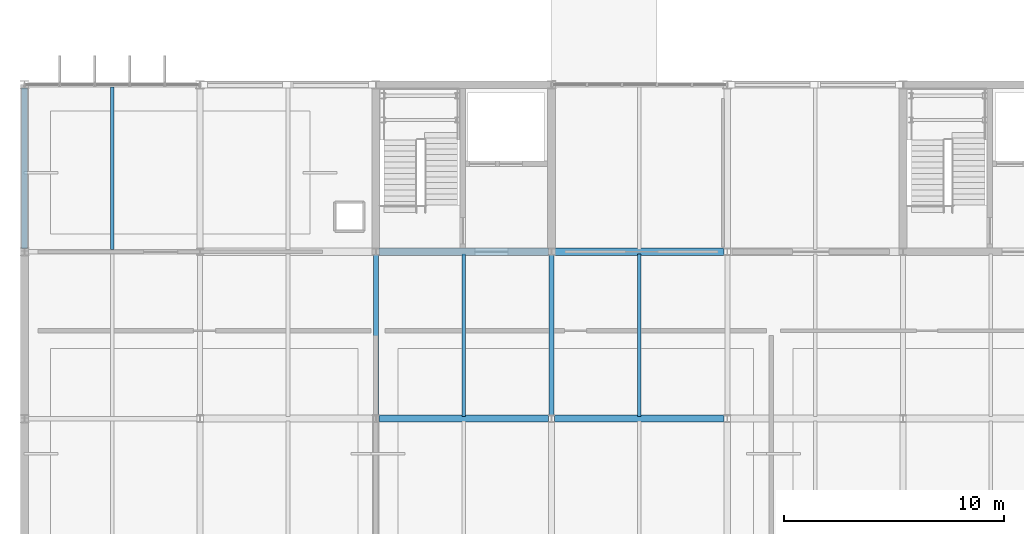
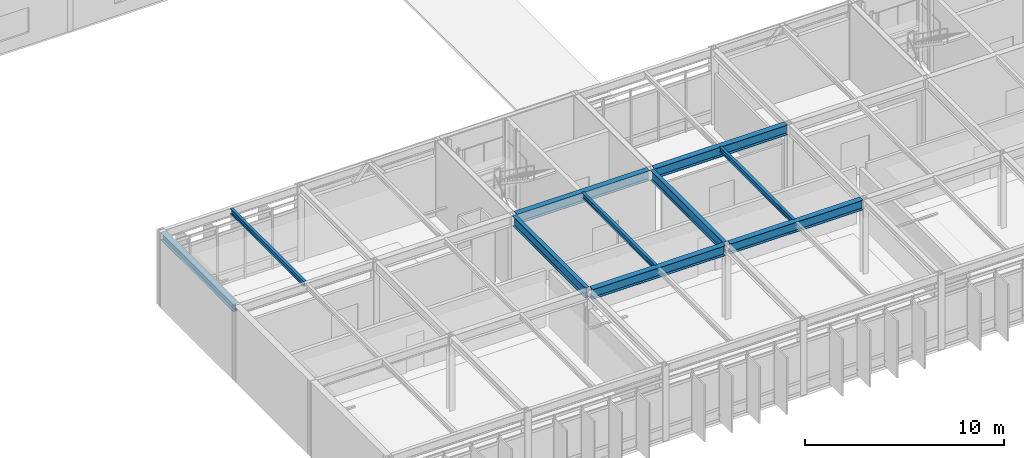
# One storey, part 24 of 100: 10 beams.
"""IFC4 building model written with IfcOpenShell, lengths in metres."""

from ifc_helpers import new_model, si_unit, direction, frame, origin, origin_2d, place, context, subcontext, project, spatial, i_section, extrude, material, material_profile, profile_set, type_object, element, save


model = new_model("IFC4")

# Units and contexts
model_context = context("Model", 3, precision=1e-05, world=origin(), true_north=direction((0.0, 1.0)))
body_context = subcontext(model_context, "Body", "Model", "MODEL_VIEW")
ifc_project = project(units=[si_unit("LENGTHUNIT", "METRE"), si_unit("AREAUNIT", "SQUARE_METRE"), si_unit("VOLUMEUNIT", "CUBIC_METRE"), si_unit("PLANEANGLEUNIT", "RADIAN"), si_unit("MASSUNIT", "GRAM", prefix="KILO")], contexts=[model_context])

# Site, building, storey
site_placement = place(None, origin())
site = spatial("IfcSite", under=ifc_project, at=site_placement, CompositionType="ELEMENT")
building_placement = place(site_placement, origin())
building = spatial("IfcBuilding", under=site, at=building_placement, Name="Zulena Civic Courthouse", CompositionType="ELEMENT")
storey_placement = place(building_placement, frame((0.0, 0.0, 20.39990234375)))
storey = spatial("IfcBuildingStorey", under=building, at=storey_placement, Name="L04", CompositionType="ELEMENT", Elevation=20.39990234375)

# Beams
ifc_material = material(Name="Steel ASTM A992 Grade 50", Category="steel")
ifc_material_profile_1 = material_profile(ifc_material, i_section(OverallWidth=0.324951171875, OverallDepth=0.615966796875, WebThickness=0.013916015625, FlangeThickness=0.021484375, FilletRadius=0.0126953125, at=origin_2d()), Name="W24X117")
ifc_profile_set_1 = profile_set([ifc_material_profile_1], Name="Steel ASTM A992 Grade 50")
beam_type_1 = type_object("IfcBeamType", Name="Girder_W24X117", PredefinedType="BEAM", material=ifc_profile_set_1)
for number, where, z_axis, x_axis, name in (
    (1, (20.14501953125, 7.60009765625, 4.287109375), (1.0, 0.0, 0.0), (0.0, 1.0, 0.0), "beam:X:V2:L04:7.6:20.0_28.0"),
    (2, (28.14501953125, 7.60009765625, 4.287109375), (1.0, 0.0, 0.0), (0.0, 1.0, 0.0), "beam:X:V2:L04:7.6:28.0_36.0"),
    (3, (20.14501953125, 15.199951171875, 4.287109375), (1.0, 0.0, 0.0), (0.0, 1.0, 0.0), "beam:X:V2:L04:15.2:20.0_28.0"),
    (4, (28.14501953125, 15.199951171875, 4.287109375), (1.0, 0.0, 0.0), (0.0, 1.0, 0.0), "beam:X:V2:L04:15.2:28.0_36.0"),
):
    element("IfcBeam", number, at=place(storey_placement, frame(where, z_axis=z_axis, x_axis=x_axis)), inside=storey, type_object=beam_type_1, Name=name, PredefinedType="BEAM", context=body_context, shape_type="SweptSolid", body=[
        extrude(i_section(OverallWidth=0.324951171875, OverallDepth=0.615966796875, WebThickness=0.013916015625, FlangeThickness=0.021484375, FilletRadius=0.0126953125, at=origin_2d()), origin(), (0.0, 0.0, 1.0), 7.7099609375),
    ])
ifc_material_profile_2 = material_profile(ifc_material, i_section(OverallWidth=0.22998046875, OverallDepth=0.616943359375, WebThickness=0.01318359375, FlangeThickness=0.022216796875, FilletRadius=0.0126953125, at=origin_2d()), Name="W24X94")
ifc_profile_set_2 = profile_set([ifc_material_profile_2], Name="Steel ASTM A992 Grade 50")
beam_type_2 = type_object("IfcBeamType", Name="Girder_W24X94", PredefinedType="BEAM", material=ifc_profile_set_2)
for number, where, z_axis, x_axis, name in (
    (5, (20.0, 7.7451171875, 4.28662109375), (0.0, 1.0, 0.0), (-1.0, 0.0, 0.0), "beam:Y:V2:L04:20.0:7.6_15.2"),
    (6, (28.0, 7.7451171875, 4.28662109375), (0.0, 1.0, 0.0), (-1.0, 0.0, 0.0), "beam:Y:V2:L04:28.0:7.6_15.2"),
):
    element("IfcBeam", number, at=place(storey_placement, frame(where, z_axis=z_axis, x_axis=x_axis)), inside=storey, type_object=beam_type_2, Name=name, PredefinedType="BEAM", context=body_context, shape_type="SweptSolid", body=[
        extrude(i_section(OverallWidth=0.22998046875, OverallDepth=0.616943359375, WebThickness=0.01318359375, FlangeThickness=0.022216796875, FilletRadius=0.0126953125, at=origin_2d()), origin(), (0.0, 0.0, 1.0), 7.309814453125),
    ])
ifc_material_profile_3 = material_profile(ifc_material, i_section(OverallWidth=0.1650390625, OverallDepth=0.31005859375, WebThickness=0.005859375, FlangeThickness=0.009765625, FilletRadius=0.009765625, at=origin_2d()), Name="W12X26")
ifc_profile_set_3 = profile_set([ifc_material_profile_3], Name="Steel ASTM A992 Grade 50")
beam_type_3 = type_object("IfcBeamType", Name="Joist_W12X26", PredefinedType="JOIST", material=ifc_profile_set_3)
beam_1_placement = place(storey_placement, frame((8.0, 15.304931640625, 4.440185546875), z_axis=(0.0, 1.0, 0.0), x_axis=(-1.0, 0.0, 0.0)))
element("IfcBeam", 7, at=beam_1_placement, inside=storey, type_object=beam_type_3, Name="joist:V2:L04:8.00:15.2_22.8", PredefinedType="JOIST", context=body_context, shape_type="SweptSolid", body=[
    extrude(i_section(OverallWidth=0.1650390625, OverallDepth=0.31005859375, WebThickness=0.005859375, FlangeThickness=0.009765625, FilletRadius=0.009765625, at=origin_2d()), origin(), (0.0, 0.0, 1.0), 7.39013671875),
])
for number, where, z_axis, x_axis, name in (
    (8, (24.0, 7.705078125, 4.440185546875), (0.0, 1.0, 0.0), (-1.0, 0.0, 0.0), "joist:V2:L04:24.00:7.6_15.2"),
    (9, (32.0, 7.705078125, 4.440185546875), (0.0, 1.0, 0.0), (-1.0, 0.0, 0.0), "joist:V2:L04:32.00:7.6_15.2"),
):
    element("IfcBeam", number, at=place(storey_placement, frame(where, z_axis=z_axis, x_axis=x_axis)), inside=storey, type_object=beam_type_3, Name=name, PredefinedType="JOIST", context=body_context, shape_type="SweptSolid", body=[
        extrude(i_section(OverallWidth=0.1650390625, OverallDepth=0.31005859375, WebThickness=0.005859375, FlangeThickness=0.009765625, FilletRadius=0.009765625, at=origin_2d()), origin(), (0.0, 0.0, 1.0), 7.389892578125),
    ])
ifc_material_profile_4 = material_profile(ifc_material, i_section(OverallWidth=0.280029296875, OverallDepth=0.462890625, WebThickness=0.0107421875, FlangeThickness=0.017333984375, FilletRadius=0.01025390625, at=origin_2d()), Name="W18X76")
ifc_profile_set_4 = profile_set([ifc_material_profile_4], Name="Steel ASTM A992 Grade 50")
beam_type_4 = type_object("IfcBeamType", Name="Spandrel_W18X76", PredefinedType="SPANDREL", material=ifc_profile_set_4)
beam_2_placement = place(storey_placement, frame((4.0, 15.344970703125, 4.363525390625), z_axis=(0.0, 1.0, 0.0), x_axis=(-1.0, 0.0, 0.0)))
element("IfcBeam", 10, at=beam_2_placement, inside=storey, type_object=beam_type_4, Name="beam:Y:V2:L04:4.0:15.2_22.8", PredefinedType="SPANDREL", context=body_context, shape_type="SweptSolid", body=[
    extrude(i_section(OverallWidth=0.280029296875, OverallDepth=0.462890625, WebThickness=0.0107421875, FlangeThickness=0.017333984375, FilletRadius=0.01025390625, at=origin_2d()), origin(), (0.0, 0.0, 1.0), 7.31005859375),
])

save(model, "model.ifc")
